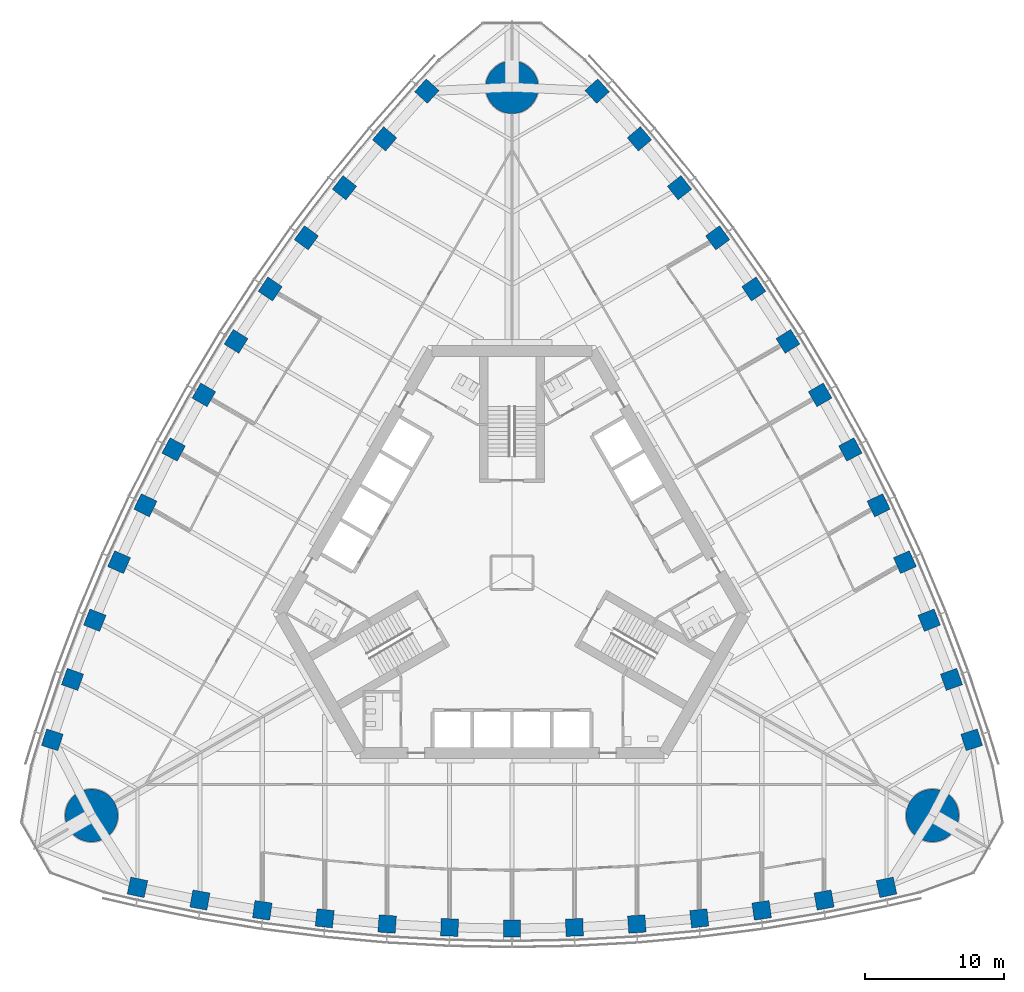
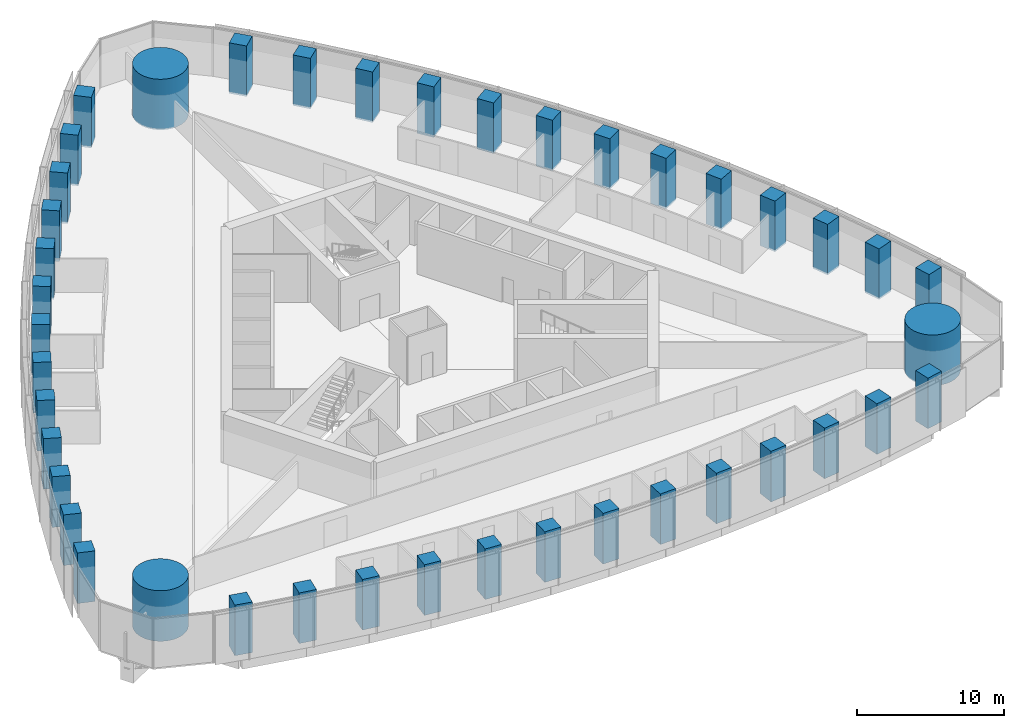
# One storey, part 1 of 21: 42 columns.
"""IFC4 building model written with IfcOpenShell, lengths in metres."""

from ifc_helpers import new_model, si_unit, direction, frame, origin, origin_2d, place, context, subcontext, project, spatial, rectangle, circle, extrude, material, material_profile, profile_set, type_object, element, save


model = new_model("IFC4")

# Units and contexts
model_context = context("Model", 3, precision=1e-05, world=origin(), true_north=direction((0.0, 1.0)))
body_context = subcontext(model_context, "Body", "Model", "MODEL_VIEW")
ifc_project = project(units=[si_unit("LENGTHUNIT", "METRE"), si_unit("AREAUNIT", "SQUARE_METRE"), si_unit("VOLUMEUNIT", "CUBIC_METRE"), si_unit("PLANEANGLEUNIT", "RADIAN"), si_unit("MASSUNIT", "GRAM", prefix="KILO")], contexts=[model_context])

# Site, building, storey
site_placement = place(None, origin())
site = spatial("IfcSite", under=ifc_project, at=site_placement, CompositionType="ELEMENT")
building_placement = place(site_placement, origin())
building = spatial("IfcBuilding", under=site, at=building_placement, Name="Trefoil Bronze Tower", CompositionType="ELEMENT")
storey_placement = place(building_placement, frame((0.0, 0.0, 145.10009765625)))
storey = spatial("IfcBuildingStorey", under=building, at=storey_placement, Name="L33", CompositionType="ELEMENT", Elevation=145.10009765625)

# Columns
ifc_material_1 = material(Name="Concrete B80", Category="concrete")
ifc_material_profile_1 = material_profile(ifc_material_1, circle(Radius=1.89990234375, at=origin_2d()), Name="RC D3800")
ifc_profile_set_1 = profile_set([ifc_material_profile_1], Name="Concrete B80")
column_type_1 = type_object("IfcColumnType", Name="Mega column RC D3800", PredefinedType="COLUMN", material=ifc_profile_set_1)
for number, where, z_axis, x_axis, name in (
    (1, (30.310791015625, -17.5, 0.0), (0.0, 0.0, 1.0), (1.0, 0.0, 0.0), "Mega column K1 L33"),
    (2, (0.0, 35.0, 0.0), (0.0, 0.0, 1.0), (1.0, 0.0, 0.0), "Mega column K2 L33"),
    (3, (-30.310791015625, -17.5, 0.0), (0.0, 0.0, 1.0), (1.0, 0.0, 0.0), "Mega column K3 L33"),
):
    element("IfcColumn", number, at=place(storey_placement, frame(where, z_axis=z_axis, x_axis=x_axis)), inside=storey, type_object=column_type_1, Name=name, PredefinedType="COLUMN", context=body_context, shape_type="SweptSolid", body=[
        extrude(circle(Radius=1.89990234375, at=origin_2d()), origin(), (0.0, 0.0, 1.0), 4.199951171875),
    ])
ifc_material_2 = material(Name="Concrete B80", Category="concrete")
ifc_material_profile_2 = material_profile(ifc_material_2, rectangle(XDim=1.25, YDim=1.25, at=origin_2d()), Name="RC 1250x1250")
ifc_profile_set_2 = profile_set([ifc_material_profile_2], Name="Concrete B80")
column_type_2 = type_object("IfcColumnType", Name="Tube column RC 1250x1250", PredefinedType="COLUMN", material=ifc_profile_set_2)
for number, where, z_axis, x_axis, name in (
    (4, (-27.0, -22.67724609375, 0.0), (0.0, 0.0, 1.0), (0.977276081214, -0.21197042503, 0.0), "Tube column F1/-6 L33"),
    (5, (-22.5, -23.592529296875, 0.0), (0.0, 0.0, 1.0), (0.98362250613, -0.180240853954, 0.0), "Tube column F1/-5 L33"),
    (6, (-18.0, -24.337158203125, 0.0), (0.0, 0.0, 1.0), (0.989549714366, -0.144192103798, 0.0), "Tube column F1/-4 L33"),
    (7, (-13.5, -24.9130859375, 0.0), (0.0, 0.0, 1.0), (0.994135267447, -0.108143747013, 0.0), "Tube column F1/-3 L33"),
    (8, (-9.0, -25.32275390625, 0.0), (0.0, 0.0, 1.0), (0.997397720802, -0.072095676284, 0.0), "Tube column F1/-2 L33"),
    (9, (-4.5, -25.568115234375, 0.0), (0.0, 0.0, 1.0), (0.999350067136, -0.036047792107, 0.0), "Tube column F1/-1 L33"),
    (10, (0.0, -25.649658203125, 0.0), (0.0, 0.0, 1.0), (1.0, 0.0, 0.0), "Tube column F1/+0 L33"),
    (11, (4.5, -25.568115234375, 0.0), (0.0, 0.0, 1.0), (0.999350067136, 0.036047792107, 0.0), "Tube column F1/+1 L33"),
    (12, (9.0, -25.32275390625, 0.0), (0.0, 0.0, 1.0), (0.997397720802, 0.072095676284, 0.0), "Tube column F1/+2 L33"),
    (13, (13.5, -24.9130859375, 0.0), (0.0, 0.0, 1.0), (0.994135267447, 0.108143747013, 0.0), "Tube column F1/+3 L33"),
    (14, (18.0, -24.337158203125, 0.0), (0.0, 0.0, 1.0), (0.989549714366, 0.144192103798, 0.0), "Tube column F1/+4 L33"),
    (15, (22.5, -23.592529296875, 0.0), (0.0, 0.0, 1.0), (0.98362250613, 0.180240853954, 0.0), "Tube column F1/+5 L33"),
    (16, (27.0, -22.67724609375, 0.0), (0.0, 0.0, 1.0), (0.977276081214, 0.21197042503, 0.0), "Tube column F1/+6 L33"),
    (17, (33.13916015625, -12.044189453125, 0.0), (0.0, 0.0, 1.0), (-0.30506626768, 0.952331125357, 0.0), "Tube column F2/-6 L33"),
    (18, (31.681884765625, -7.689208984375, 0.0), (0.0, 0.0, 1.0), (-0.335718094742, 0.94196250502, 0.0), "Tube column F2/-5 L33"),
    (19, (30.07666015625, -3.419921875, 0.0), (0.0, 0.0, 1.0), (-0.369900832269, 0.929071242848, 0.0), "Tube column F2/-4 L33"),
    (20, (28.325439453125, 0.76513671875, 0.0), (0.0, 0.0, 1.0), (-0.40341240155, 0.915018269914, 0.0), "Tube column F2/-3 L33"),
    (21, (26.43017578125, 4.8671875, 0.0), (0.0, 0.0, 1.0), (-0.436262173236, 0.899819602033, 0.0), "Tube column F2/-2 L33"),
    (22, (24.392578125, 8.886962890625, 0.0), (0.0, 0.0, 1.0), (-0.468456729853, 0.883486441467, 0.0), "Tube column F2/-1 L33"),
    (23, (22.21337890625, 12.824951171875, 0.0), (0.0, 0.0, 1.0), (-0.5, 0.866025403784, 0.0), "Tube column F2/+0 L33"),
    (24, (19.892578125, 16.68115234375, 0.0), (0.0, 0.0, 1.0), (-0.530893337283, 0.84743864936, 0.0), "Tube column F2/+1 L33"),
    (25, (17.43017578125, 20.45556640625, 0.0), (0.0, 0.0, 1.0), (-0.561135547566, 0.827723925749, 0.0), "Tube column F2/+2 L33"),
    (26, (14.825439453125, 24.14794921875, 0.0), (0.0, 0.0, 1.0), (-0.590722865897, 0.806874522901, 0.0), "Tube column F2/+3 L33"),
    (27, (12.07666015625, 27.757080078125, 0.0), (0.0, 0.0, 1.0), (-0.619648882098, 0.78487913905, 0.0), "Tube column F2/+4 L33"),
    (28, (9.181884765625, 31.281982421875, 0.0), (0.0, 0.0, 1.0), (-0.647904411389, 0.761721651066, 0.0), "Tube column F2/+5 L33"),
    (29, (6.13916015625, 34.72119140625, 0.0), (0.0, 0.0, 1.0), (-0.672209813534, 0.740360700327, 0.0), "Tube column F2/+6 L33"),
    (30, (-6.13916015625, 34.72119140625, 0.0), (0.0, 0.0, 1.0), (-0.672209813534, -0.740360700327, 0.0), "Tube column F3/-6 L33"),
    (31, (-9.181884765625, 31.281982421875, 0.0), (0.0, 0.0, 1.0), (-0.647904411389, -0.761721651066, 0.0), "Tube column F3/-5 L33"),
    (32, (-12.07666015625, 27.757080078125, 0.0), (0.0, 0.0, 1.0), (-0.619648882098, -0.78487913905, 0.0), "Tube column F3/-4 L33"),
    (33, (-14.825439453125, 24.14794921875, 0.0), (0.0, 0.0, 1.0), (-0.590722865897, -0.806874522901, 0.0), "Tube column F3/-3 L33"),
    (34, (-17.43017578125, 20.45556640625, 0.0), (0.0, 0.0, 1.0), (-0.561135547566, -0.827723925749, 0.0), "Tube column F3/-2 L33"),
    (35, (-19.892578125, 16.68115234375, 0.0), (0.0, 0.0, 1.0), (-0.530893337283, -0.84743864936, 0.0), "Tube column F3/-1 L33"),
    (36, (-22.21337890625, 12.824951171875, 0.0), (0.0, 0.0, 1.0), (-0.5, -0.866025403784, 0.0), "Tube column F3/+0 L33"),
    (37, (-24.392578125, 8.886962890625, 0.0), (0.0, 0.0, 1.0), (-0.468456729853, -0.883486441467, 0.0), "Tube column F3/+1 L33"),
    (38, (-26.43017578125, 4.8671875, 0.0), (0.0, 0.0, 1.0), (-0.436262173236, -0.899819602033, 0.0), "Tube column F3/+2 L33"),
    (39, (-28.325439453125, 0.76513671875, 0.0), (0.0, 0.0, 1.0), (-0.40341240155, -0.915018269914, 0.0), "Tube column F3/+3 L33"),
    (40, (-30.07666015625, -3.419921875, 0.0), (0.0, 0.0, 1.0), (-0.369900832269, -0.929071242848, 0.0), "Tube column F3/+4 L33"),
    (41, (-31.681884765625, -7.689208984375, 0.0), (0.0, 0.0, 1.0), (-0.335718094742, -0.94196250502, 0.0), "Tube column F3/+5 L33"),
    (42, (-33.13916015625, -12.044189453125, 0.0), (0.0, 0.0, 1.0), (-0.30506626768, -0.952331125357, 0.0), "Tube column F3/+6 L33"),
):
    element("IfcColumn", number, at=place(storey_placement, frame(where, z_axis=z_axis, x_axis=x_axis)), inside=storey, type_object=column_type_2, Name=name, PredefinedType="COLUMN", context=body_context, shape_type="SweptSolid", body=[
        extrude(rectangle(XDim=1.25, YDim=1.25, at=origin_2d()), origin(), (0.0, 0.0, 1.0), 4.199951171875),
    ])

save(model, "model.ifc")
